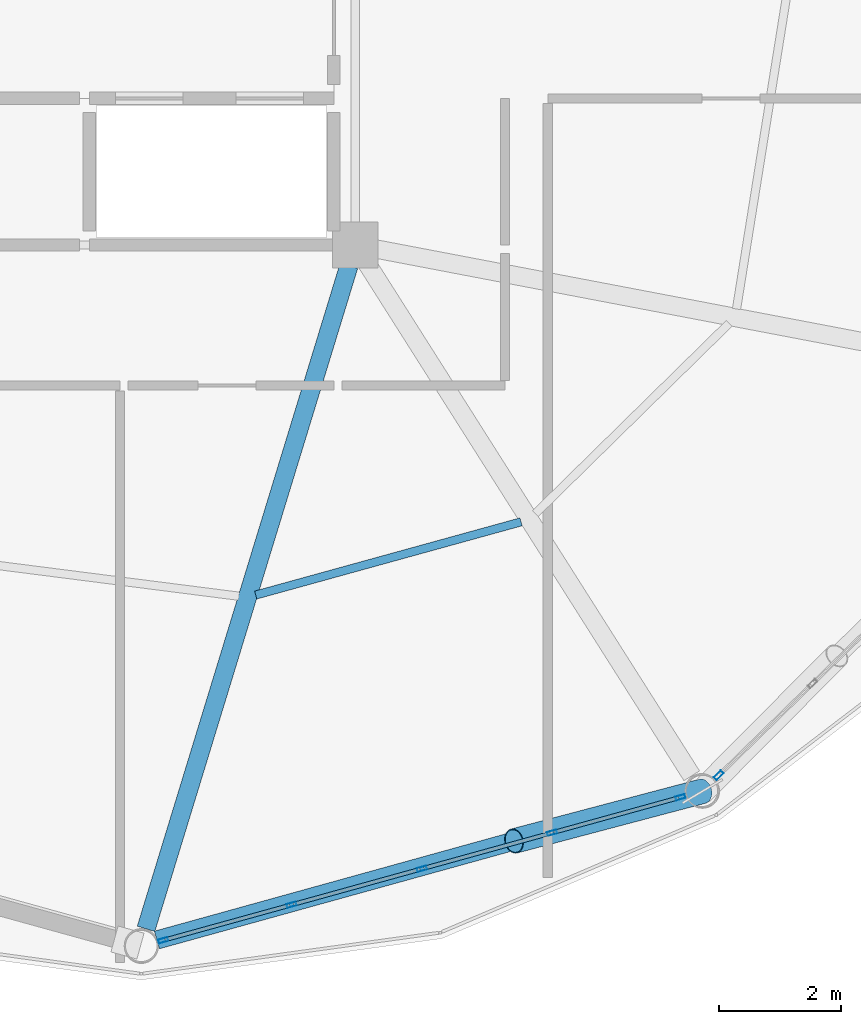
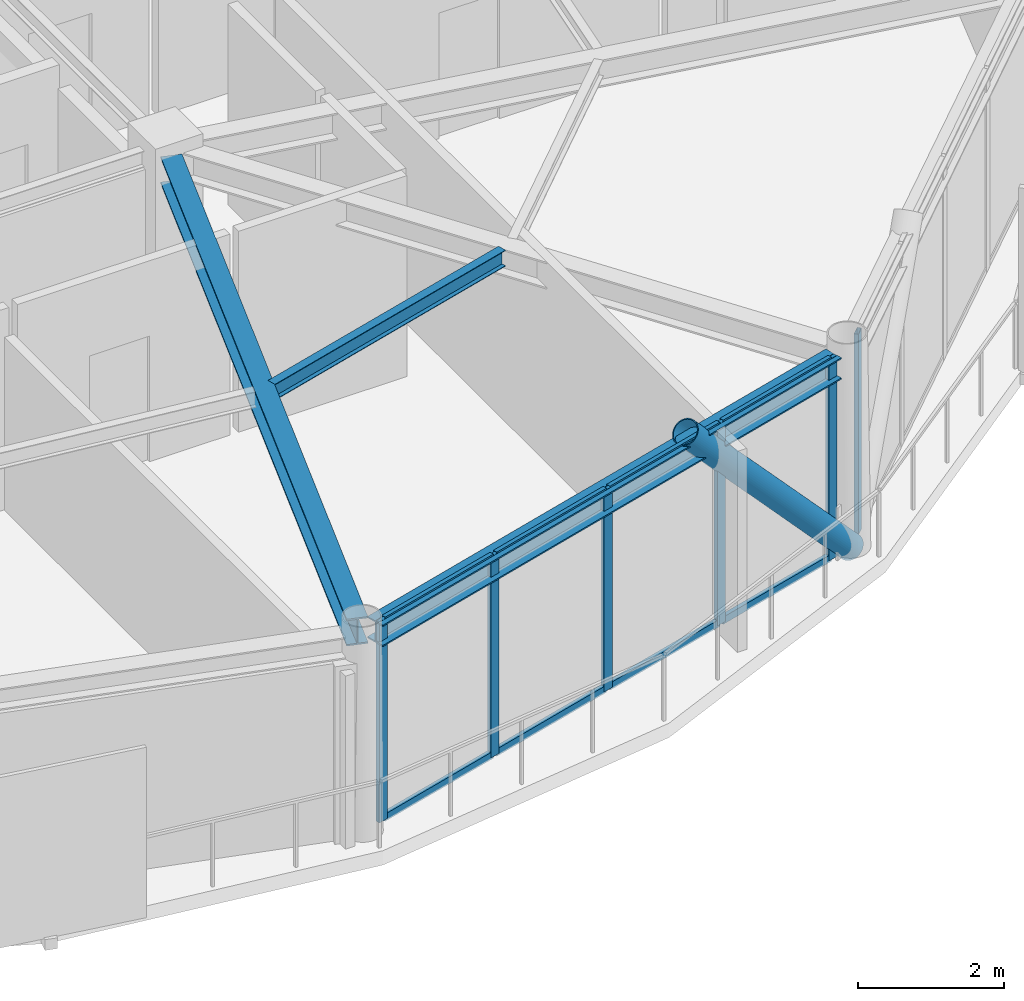
# One storey, part 7 of 27: 15 members, 3 beams, 2 elements without a shape of their own.
"""IFC4 building model written with IfcOpenShell, lengths in metres."""

from ifc_helpers import new_model, si_unit, direction, frame, origin, origin_2d, place, context, subcontext, project, spatial, hollow_rectangle, hollow_circle, i_section, extrude, material, layer, layer_set, material_profile, profile_set, type_object, element, aggregate, save


model = new_model("IFC4")

# Units and contexts
model_context = context("Model", 3, precision=1e-05, world=origin(), true_north=direction((0.0, 1.0)))
body_context = subcontext(model_context, "Body", "Model", "MODEL_VIEW")
ifc_project = project(units=[si_unit("LENGTHUNIT", "METRE"), si_unit("AREAUNIT", "SQUARE_METRE"), si_unit("VOLUMEUNIT", "CUBIC_METRE"), si_unit("PLANEANGLEUNIT", "RADIAN"), si_unit("MASSUNIT", "GRAM", prefix="KILO")], contexts=[model_context])

# Site, building, storey
site_placement = place(None, origin())
site = spatial("IfcSite", under=ifc_project, at=site_placement, CompositionType="ELEMENT")
building_placement = place(site_placement, origin())
building = spatial("IfcBuilding", under=site, at=building_placement, Name="Varnakorn Sky Granary", CompositionType="ELEMENT")
storey_placement = place(building_placement, frame((0.0, 0.0, 249.0)))
storey = spatial("IfcBuildingStorey", under=building, at=storey_placement, Name="L63", CompositionType="ELEMENT", Elevation=249.0)

# Beams
ifc_material_1 = material(Name="Steel S355JR", Category="steel")
ifc_material_profile_1 = material_profile(ifc_material_1, i_section(OverallWidth=0.300048828125, OverallDepth=0.449951171875, WebThickness=0.013916015625, FlangeThickness=0.02587890625, at=origin_2d()), Name="HE 450 B")
ifc_profile_set_1 = profile_set([ifc_material_profile_1], Name="Steel S355JR")
beam_type_1 = type_object("IfcBeamType", Name="BM-RAD-Z5", PredefinedType="BEAM", material=ifc_profile_set_1)
beam_1_placement = place(storey_placement, frame((8.24609375, -6.939453125, 3.135009765625), z_axis=(-0.29256848122, -0.956244573211, 0.0), x_axis=(0.956244573211, -0.29256848122, 0.0)))
element("IfcBeam", 1, at=beam_1_placement, inside=storey, type_object=beam_type_1, Name="Radial Floor Girder RG10 L63", PredefinedType="BEAM", context=body_context, shape_type="SweptSolid", body=[
    extrude(i_section(OverallWidth=0.300048828125, OverallDepth=0.449951171875, WebThickness=0.013916015625, FlangeThickness=0.02587890625, at=origin_2d()), origin(), (0.0, 0.0, 1.0), 11.343017578125),
])
ifc_material_profile_2 = material_profile(ifc_material_1, i_section(OverallWidth=0.135009765625, OverallDepth=0.27001953125, WebThickness=0.006591796875, FlangeThickness=0.01025390625, at=origin_2d()), Name="IPE 270")
ifc_profile_set_2 = profile_set([ifc_material_profile_2], Name="Steel S355JR")
beam_type_2 = type_object("IfcBeamType", Name="BM-SEC-Z5", PredefinedType="BEAM", material=ifc_profile_set_2)
beam_2_placement = place(storey_placement, frame((6.7216796875, -12.32568359375, 3.22509765625), z_axis=(0.963986387077, 0.265951584938, 0.0), x_axis=(-0.265951584938, 0.963986387077, 0.0)))
element("IfcBeam", 2, at=beam_2_placement, inside=storey, type_object=beam_type_2, Name="Secondary Floor Chord Beam MSB10 L63", PredefinedType="BEAM", context=body_context, shape_type="SweptSolid", body=[
    extrude(i_section(OverallWidth=0.135009765625, OverallDepth=0.27001953125, WebThickness=0.006591796875, FlangeThickness=0.01025390625, at=origin_2d()), origin(), (0.0, 0.0, 1.0), 4.502685546875),
])
ifc_material_profile_3 = material_profile(ifc_material_1, i_section(OverallWidth=0.300048828125, OverallDepth=0.360107421875, WebThickness=0.012451171875, FlangeThickness=0.0224609375, at=origin_2d()), Name="HE 360 B")
ifc_profile_set_3 = profile_set([ifc_material_profile_3], Name="Steel S355JR")
beam_type_3 = type_object("IfcBeamType", Name="BM-SPD-Z5", PredefinedType="SPANDREL", material=ifc_profile_set_3)
beam_3_placement = place(storey_placement, frame((5.10498046875, -17.968505859375, 3.179931640625), z_axis=(0.963701126096, 0.266983406902, 0.0), x_axis=(-0.266983406902, 0.963701126096, 0.0)))
element("IfcBeam", 3, at=beam_3_placement, inside=storey, type_object=beam_type_3, Name="Perimeter Spandrel Ring Beam RB10 L63", PredefinedType="SPANDREL", context=body_context, shape_type="SweptSolid", body=[
    extrude(i_section(OverallWidth=0.300048828125, OverallDepth=0.360107421875, WebThickness=0.012451171875, FlangeThickness=0.0224609375, at=origin_2d()), origin(), (0.0, 0.0, 1.0), 8.96142578125),
])

# Curtain wall, members
ifc_material_2 = material(Name="Anodised Bronze Aluminium Alloy 6063-T6", Category="aluminium")
ifc_layer = layer(ifc_material_2, 0.159912109375, Name="Anodised Bronze Aluminium Alloy 6063-T6")
ifc_layer_set = layer_set([ifc_layer], Name="Anodised Bronze Aluminium Alloy 6063-T6")
curtain_wall_type = type_object("IfcCurtainWallType", Name="CW-OFF-1", PredefinedType="USERDEFINED", material=ifc_layer_set)
curtain_wall_1_placement = place(storey_placement, origin())
curtain_wall_1 = element("IfcCurtainWall", 4, at=curtain_wall_1_placement, inside=storey, type_object=curtain_wall_type, Name="Unitised Curtain Wall CW6 CW-L63-B10", ObjectType="CURTAIN WALL", PredefinedType="USERDEFINED")
ifc_material_profile_4 = material_profile(ifc_material_2, hollow_rectangle(XDim=0.06494140625, YDim=0.159912109375, WallThickness=0.00341796875, at=origin_2d()), Name="ALU MULL 65x160")
ifc_profile_set_4 = profile_set([ifc_material_profile_4], Name="Anodised Bronze Aluminium Alloy 6063-T6")
member_type_1 = type_object("IfcMemberType", Name="CW-OFF-1-MULL", PredefinedType="MULLION", material=ifc_profile_set_4)
member_1_placement = place(storey_placement, frame((13.67138671875, -15.634033203125, 0.0), z_axis=(0.0, 0.0, 1.0), x_axis=(0.266486844753, -0.963838555762, 0.0)))
member_1 = element("IfcMember", 5, at=member_1_placement, type_object=member_type_1, Name="CW6 mullion 1", PredefinedType="MULLION", context=body_context, shape_type="SweptSolid", body=[
    extrude(hollow_rectangle(XDim=0.06494140625, YDim=0.159912109375, WallThickness=0.00341796875, at=origin_2d()), origin(), (0.0, 0.0, 1.0), 3.360107421875),
])
member_2_placement = place(storey_placement, frame((11.5712890625, -16.214599609375, 0.0), z_axis=(0.0, 0.0, 1.0), x_axis=(0.266486844753, -0.963838555762, 0.0)))
member_2 = element("IfcMember", 6, at=member_2_placement, type_object=member_type_1, Name="CW6 mullion 2", PredefinedType="MULLION", context=body_context, shape_type="SweptSolid", body=[
    extrude(hollow_rectangle(XDim=0.06494140625, YDim=0.159912109375, WallThickness=0.00341796875, at=origin_2d()), origin(), (0.0, 0.0, 1.0), 3.360107421875),
])
member_3_placement = place(storey_placement, frame((9.43994140625, -16.803955078125, 0.0), z_axis=(0.0, 0.0, 1.0), x_axis=(0.266486844753, -0.963838555762, 0.0)))
member_3 = element("IfcMember", 7, at=member_3_placement, type_object=member_type_1, Name="CW6 mullion 3", PredefinedType="MULLION", context=body_context, shape_type="SweptSolid", body=[
    extrude(hollow_rectangle(XDim=0.06494140625, YDim=0.159912109375, WallThickness=0.00341796875, at=origin_2d()), origin(), (0.0, 0.0, 1.0), 3.360107421875),
])
member_4_placement = place(storey_placement, frame((7.30859375, -17.393310546875, 0.0), z_axis=(0.0, 0.0, 1.0), x_axis=(0.266486844753, -0.963838555762, 0.0)))
member_4 = element("IfcMember", 8, at=member_4_placement, type_object=member_type_1, Name="CW6 mullion 4", PredefinedType="MULLION", context=body_context, shape_type="SweptSolid", body=[
    extrude(hollow_rectangle(XDim=0.06494140625, YDim=0.159912109375, WallThickness=0.00341796875, at=origin_2d()), origin(), (0.0, 0.0, 1.0), 3.360107421875),
])
member_5_placement = place(storey_placement, frame((5.20849609375, -17.973876953125, 0.0), z_axis=(0.0, 0.0, 1.0), x_axis=(0.266486844753, -0.963838555762, 0.0)))
member_5 = element("IfcMember", 9, at=member_5_placement, type_object=member_type_1, Name="CW6 mullion 5", PredefinedType="MULLION", context=body_context, shape_type="SweptSolid", body=[
    extrude(hollow_rectangle(XDim=0.06494140625, YDim=0.159912109375, WallThickness=0.00341796875, at=origin_2d()), origin(), (0.0, 0.0, 1.0), 3.360107421875),
])

# Curtain wall, member
curtain_wall_2_placement = place(storey_placement, origin())
curtain_wall_2 = element("IfcCurtainWall", 10, at=curtain_wall_2_placement, inside=storey, type_object=curtain_wall_type, Name="Unitised Curtain Wall CW6 CW-L63-B11", ObjectType="CURTAIN WALL", PredefinedType="USERDEFINED")
member_6_placement = place(storey_placement, frame((14.296142578125, -15.27490234375, 0.0), z_axis=(0.0, 0.0, 1.0), x_axis=(0.698832913663, -0.71528494936, 0.0)))
member_6 = element("IfcMember", 11, at=member_6_placement, type_object=member_type_1, Name="CW6 mullion 5", PredefinedType="MULLION", context=body_context, shape_type="SweptSolid", body=[
    extrude(hollow_rectangle(XDim=0.06494140625, YDim=0.159912109375, WallThickness=0.00341796875, at=origin_2d()), origin(), (0.0, 0.0, 1.0), 3.360107421875),
])
aggregate(curtain_wall_2, [member_6])

# Member
ifc_material_profile_5 = material_profile(ifc_material_2, hollow_rectangle(XDim=0.06494140625, YDim=0.1201171875, WallThickness=0.00341796875, at=origin_2d()), Name="ALU TRAN 65x120")
ifc_profile_set_5 = profile_set([ifc_material_profile_5], Name="Anodised Bronze Aluminium Alloy 6063-T6")
member_type_2 = type_object("IfcMemberType", Name="CW-OFF-1-TRAN", PredefinedType="USERDEFINED", material=ifc_profile_set_5)
member_7_placement = place(storey_placement, frame((13.64013671875, -15.642578125, 0.032470703125), z_axis=(-0.963816802571, -0.266565509926, 0.0), x_axis=(0.266565509926, -0.963816802571, 0.0)))
member_7 = element("IfcMember", 12, at=member_7_placement, type_object=member_type_2, Name="CW6 transom 1.1", ObjectType="TRANSOM", PredefinedType="USERDEFINED", context=body_context, shape_type="SweptSolid", body=[
    extrude(hollow_rectangle(XDim=0.06494140625, YDim=0.1201171875, WallThickness=0.00341796875, at=origin_2d()), origin(), (0.0, 0.0, 1.0), 2.11376953125),
])

member_8_placement = place(storey_placement, frame((13.64013671875, -15.642578125, 3.327392578125), z_axis=(-0.963816802571, -0.266565509926, 0.0), x_axis=(0.266565509926, -0.963816802571, 0.0)))
member_8 = element("IfcMember", 13, at=member_8_placement, type_object=member_type_2, Name="CW6 transom 1.2", ObjectType="TRANSOM", PredefinedType="USERDEFINED", context=body_context, shape_type="SweptSolid", body=[
    extrude(hollow_rectangle(XDim=0.06494140625, YDim=0.1201171875, WallThickness=0.00341796875, at=origin_2d()), origin(), (0.0, 0.0, 1.0), 2.11376953125),
])

member_9_placement = place(storey_placement, frame((11.5400390625, -16.22314453125, 0.032470703125), z_axis=(-0.963828530337, -0.266523102393, 0.0), x_axis=(0.266523102393, -0.963828530337, 0.0)))
member_9 = element("IfcMember", 14, at=member_9_placement, type_object=member_type_2, Name="CW6 transom 2.1", ObjectType="TRANSOM", PredefinedType="USERDEFINED", context=body_context, shape_type="SweptSolid", body=[
    extrude(hollow_rectangle(XDim=0.06494140625, YDim=0.1201171875, WallThickness=0.00341796875, at=origin_2d()), origin(), (0.0, 0.0, 1.0), 2.146240234375),
])

member_10_placement = place(storey_placement, frame((11.5400390625, -16.22314453125, 3.327392578125), z_axis=(-0.963828530337, -0.266523102393, 0.0), x_axis=(0.266523102393, -0.963828530337, 0.0)))
member_10 = element("IfcMember", 15, at=member_10_placement, type_object=member_type_2, Name="CW6 transom 2.2", ObjectType="TRANSOM", PredefinedType="USERDEFINED", context=body_context, shape_type="SweptSolid", body=[
    extrude(hollow_rectangle(XDim=0.06494140625, YDim=0.1201171875, WallThickness=0.00341796875, at=origin_2d()), origin(), (0.0, 0.0, 1.0), 2.146240234375),
])

member_11_placement = place(storey_placement, frame((9.40869140625, -16.8125, 0.032470703125), z_axis=(-0.963836609397, -0.266493884331, 0.0), x_axis=(0.266493884331, -0.963836609397, 0.0)))
member_11 = element("IfcMember", 16, at=member_11_placement, type_object=member_type_2, Name="CW6 transom 3.1", ObjectType="TRANSOM", PredefinedType="USERDEFINED", context=body_context, shape_type="SweptSolid", body=[
    extrude(hollow_rectangle(XDim=0.06494140625, YDim=0.1201171875, WallThickness=0.00341796875, at=origin_2d()), origin(), (0.0, 0.0, 1.0), 2.146484375),
])

member_12_placement = place(storey_placement, frame((9.40869140625, -16.8125, 3.327392578125), z_axis=(-0.963836609397, -0.266493884331, 0.0), x_axis=(0.266493884331, -0.963836609397, 0.0)))
member_12 = element("IfcMember", 17, at=member_12_placement, type_object=member_type_2, Name="CW6 transom 3.2", ObjectType="TRANSOM", PredefinedType="USERDEFINED", context=body_context, shape_type="SweptSolid", body=[
    extrude(hollow_rectangle(XDim=0.06494140625, YDim=0.1201171875, WallThickness=0.00341796875, at=origin_2d()), origin(), (0.0, 0.0, 1.0), 2.146484375),
])

member_13_placement = place(storey_placement, frame((7.27734375, -17.40185546875, 0.032470703125), z_axis=(-0.963854669984, -0.266428555434, 0.0), x_axis=(0.266428555434, -0.963854669984, 0.0)))
member_13 = element("IfcMember", 18, at=member_13_placement, type_object=member_type_2, Name="CW6 transom 4.1", ObjectType="TRANSOM", PredefinedType="USERDEFINED", context=body_context, shape_type="SweptSolid", body=[
    extrude(hollow_rectangle(XDim=0.06494140625, YDim=0.1201171875, WallThickness=0.00341796875, at=origin_2d()), origin(), (0.0, 0.0, 1.0), 2.114013671875),
])

member_14_placement = place(storey_placement, frame((7.27734375, -17.40185546875, 3.327392578125), z_axis=(-0.963854669984, -0.266428555434, 0.0), x_axis=(0.266428555434, -0.963854669984, 0.0)))
member_14 = element("IfcMember", 19, at=member_14_placement, type_object=member_type_2, Name="CW6 transom 4.2", ObjectType="TRANSOM", PredefinedType="USERDEFINED", context=body_context, shape_type="SweptSolid", body=[
    extrude(hollow_rectangle(XDim=0.06494140625, YDim=0.1201171875, WallThickness=0.00341796875, at=origin_2d()), origin(), (0.0, 0.0, 1.0), 2.114013671875),
])

aggregate(curtain_wall_1, [member_1, member_2, member_3, member_4, member_5, member_7, member_8, member_9, member_10, member_11, member_12, member_13, member_14])

ifc_material_3 = material(Name="Steel S460M", Category="steel")
ifc_material_profile_6 = material_profile(ifc_material_3, hollow_circle(Radius=0.203125, WallThickness=0.01611328125, at=origin_2d()), Name="CHS 406.4x16")
ifc_profile_set_6 = profile_set([ifc_material_profile_6], Name="Steel S460M")
member_type_3 = type_object("IfcMemberType", Name="MB-DIAG-T4", PredefinedType="BRACE", material=ifc_profile_set_6)
member_15_placement = place(storey_placement, frame((14.030029296875, -15.534912109375, 0.0), z_axis=(-0.652115997079, -0.17238957775, 0.738259141384), x_axis=(0.25557477289, -0.966789292174, 0.0)))
element("IfcMember", 20, at=member_15_placement, inside=storey, type_object=member_type_3, Name="Perimeter CHS Diagrid Brace DG10 L63", PredefinedType="BRACE", context=body_context, shape_type="SweptSolid", body=[
    extrude(hollow_circle(Radius=0.203125, WallThickness=0.01611328125, at=origin_2d()), origin(), (0.0, 0.0, 1.0), 4.727294921875),
])

save(model, "model.ifc")
